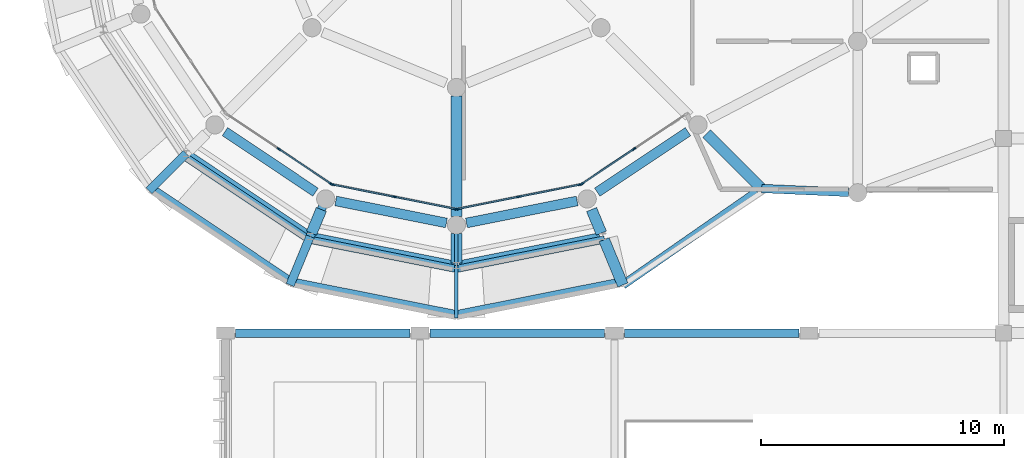
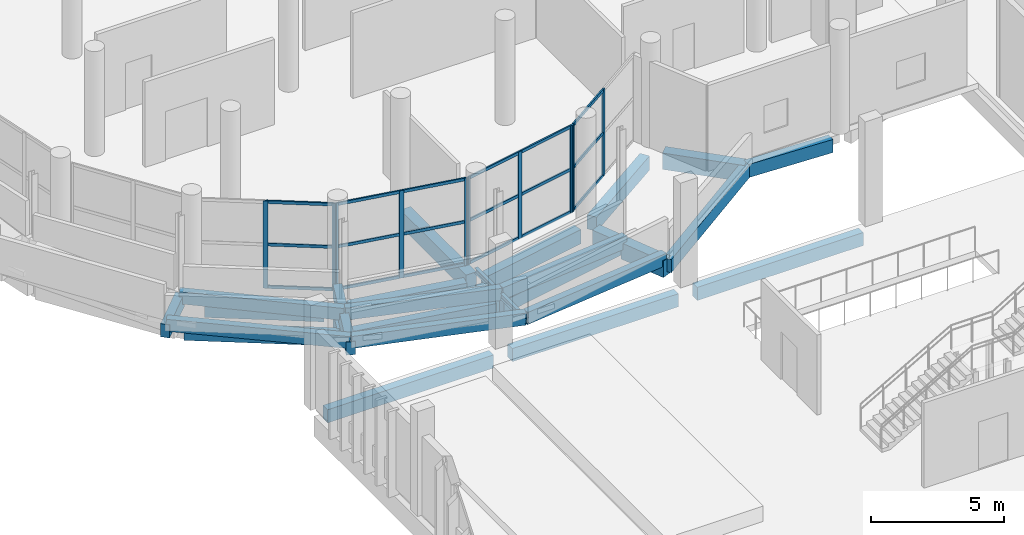
# One storey, part 19 of 106: 29 beams, 28 members, 4 elements without a shape of their own.
"""IFC4 building model written with IfcOpenShell, lengths in metres."""

from ifc_helpers import new_model, si_unit, direction, frame, origin, origin_2d, place, context, subcontext, project, spatial, rectangle, i_section, extrude, material, layer, layer_set, material_profile, profile_set, type_object, element, aggregate, save


model = new_model("IFC4")

# Units and contexts
model_context = context("Model", 3, precision=1e-05, world=origin(), true_north=direction((0.0, 1.0)))
body_context = subcontext(model_context, "Body", "Model", "MODEL_VIEW")
ifc_project = project(units=[si_unit("LENGTHUNIT", "METRE"), si_unit("AREAUNIT", "SQUARE_METRE"), si_unit("VOLUMEUNIT", "CUBIC_METRE"), si_unit("PLANEANGLEUNIT", "RADIAN"), si_unit("MASSUNIT", "GRAM", prefix="KILO")], contexts=[model_context])

# Site, building, storey
site_placement = place(None, origin())
site = spatial("IfcSite", under=ifc_project, at=site_placement, CompositionType="ELEMENT")
building_placement = place(site_placement, origin())
building = spatial("IfcBuilding", under=site, at=building_placement, Name="Jelvoka-Kovrelna Polytechnic", CompositionType="ELEMENT")
storey_placement = place(building_placement, frame((0.0, 0.0, 4.800048828125)))
storey = spatial("IfcBuildingStorey", under=building, at=storey_placement, Name="L02", CompositionType="ELEMENT", Elevation=4.800048828125)

# Beams
ifc_material_1 = material(Name="Concrete C35/45", Category="concrete")
ifc_material_profile_1 = material_profile(ifc_material_1, rectangle(XDim=0.35009765625, YDim=0.60009765625, at=origin_2d()), Name="RC 350x600")
ifc_profile_set_1 = profile_set([ifc_material_profile_1], Name="Concrete C35/45")
beam_type_1 = type_object("IfcBeamType", Name="Beam_RC_350x600", PredefinedType="BEAM", material=ifc_profile_set_1)
beam_1_placement = place(storey_placement, frame((20.123291015625, 29.51953125, 0.43505859375), z_axis=(-0.38270467954, -0.923870731357, 0.0), x_axis=(0.923870731357, -0.38270467954, 0.0)))
element("IfcBeam", 1, at=beam_1_placement, inside=storey, type_object=beam_type_1, Name="L02 spiral ramp inner tie beam 2.9", PredefinedType="BEAM", context=body_context, shape_type="SweptSolid", body=[
    extrude(rectangle(XDim=0.35009765625, YDim=0.60009765625, at=origin_2d()), origin(), (0.0, 0.0, 1.0), 1.670166015625),
])
for number, where, z_axis, x_axis, name in (
    (2, (19.484130859375, 27.9765625, 0.43505859375), (-0.382608018592, -0.923910766313, 0.0), (0.923910766313, -0.382608018592, 0.0), "L02 spiral ramp cantilever bracket 2.9"),
    (3, (14.38427734375, 31.38427734375, 0.9150390625), (-0.707106781187, -0.707106781187, 0.0), (0.707106781187, -0.707106781187, 0.0), "L02 spiral ramp cantilever bracket 2.8"),
):
    element("IfcBeam", number, at=place(storey_placement, frame(where, z_axis=z_axis, x_axis=x_axis)), inside=storey, type_object=beam_type_1, Name=name, PredefinedType="BEAM", context=body_context, shape_type="SweptSolid", body=[
        extrude(rectangle(XDim=0.35009765625, YDim=0.60009765625, at=origin_2d()), origin(), (0.0, 0.0, 1.0), 2.159912109375),
    ])
ifc_material_2 = material(Name="Concrete C40/50", Category="concrete")
ifc_material_profile_2 = material_profile(ifc_material_2, rectangle(XDim=0.39990234375, YDim=0.64990234375, at=origin_2d()), Name="RC 400x650")
ifc_profile_set_2 = profile_set([ifc_material_profile_2], Name="Concrete C40/50")
beam_type_2 = type_object("IfcBeamType", Name="Beam_RC_400x650", PredefinedType="BEAM", material=ifc_profile_set_2)
beam_2_placement = place(storey_placement, frame((15.98095703125, 32.287109375, -0.574951171875), z_axis=(0.831496756319, -0.55552960698, 0.0), x_axis=(0.55552960698, 0.831496756319, 0.0)))
element("IfcBeam", 4, at=beam_2_placement, inside=storey, type_object=beam_type_2, Name="L02 beam 2424", PredefinedType="BEAM", context=body_context, shape_type="SweptSolid", body=[
    extrude(rectangle(XDim=0.39990234375, YDim=0.64990234375, at=origin_2d()), origin(), (0.0, 0.0, 1.0), 4.481689453125),
])
for number, where, z_axis, x_axis, name in (
    (5, (20.5361328125, 29.4375, -0.574951171875), (0.980774461066, -0.195144706619, 0.0), (0.195144706619, 0.980774461066, 0.0), "L02 beam 2425"),
    (6, (25.912841796875, 28.531982421875, -0.574951171875), (0.980774461066, 0.195144706619, 0.0), (-0.195144706619, 0.980774461066, 0.0), "L02 beam 2426"),
):
    element("IfcBeam", number, at=place(storey_placement, frame(where, z_axis=z_axis, x_axis=x_axis)), inside=storey, type_object=beam_type_2, Name=name, PredefinedType="BEAM", context=body_context, shape_type="SweptSolid", body=[
        extrude(rectangle(XDim=0.39990234375, YDim=0.64990234375, at=origin_2d()), origin(), (0.0, 0.0, 1.0), 4.64013671875),
    ])
beam_3_placement = place(storey_placement, frame((31.29248046875, 29.79736328125, -0.574951171875), z_axis=(0.831496756319, 0.55552960698, 0.0), x_axis=(-0.55552960698, 0.831496756319, 0.0)))
element("IfcBeam", 7, at=beam_3_placement, inside=storey, type_object=beam_type_2, Name="L02 beam 2427", PredefinedType="BEAM", context=body_context, shape_type="SweptSolid", body=[
    extrude(rectangle(XDim=0.39990234375, YDim=0.64990234375, at=origin_2d()), origin(), (0.0, 0.0, 1.0), 4.481689453125),
])
ifc_material_3 = material(Name="Concrete C40/50", Category="concrete")
ifc_material_profile_3 = material_profile(ifc_material_3, rectangle(XDim=0.449951171875, YDim=0.75, at=origin_2d()), Name="RC 450x750")
ifc_profile_set_3 = profile_set([ifc_material_profile_3], Name="Concrete C40/50")
beam_type_3 = type_object("IfcBeamType", Name="Beam_RC_450x750", PredefinedType="BEAM", material=ifc_profile_set_3)
beam_4_placement = place(storey_placement, frame((25.5, 33.7451171875, -0.625), z_axis=(0.0, -1.0, 0.0), x_axis=(1.0, 0.0, 0.0)))
element("IfcBeam", 8, at=beam_4_placement, inside=storey, type_object=beam_type_3, Name="L02 beam 2407", PredefinedType="BEAM", context=body_context, shape_type="SweptSolid", body=[
    extrude(rectangle(XDim=0.449951171875, YDim=0.75, at=origin_2d()), origin(), (0.0, 0.0, 1.0), 4.940185546875),
])
beam_5_placement = place(storey_placement, frame((19.943603515625, 29.085205078125, -0.625), z_axis=(-0.382822216634, -0.923822033971, 0.0), x_axis=(0.923822033971, -0.382822216634, 0.0)))
element("IfcBeam", 9, at=beam_5_placement, inside=storey, type_object=beam_type_3, Name="L02 beam 2438", PredefinedType="BEAM", context=body_context, shape_type="SweptSolid", body=[
    extrude(rectangle(XDim=0.449951171875, YDim=0.75, at=origin_2d()), origin(), (0.0, 0.0, 1.0), 1.05419921875),
])
beam_6_placement = place(storey_placement, frame((25.5, 28.094970703125, -0.625), z_axis=(0.0, -1.0, 0.0), x_axis=(1.0, 0.0, 0.0)))
element("IfcBeam", 10, at=beam_6_placement, inside=storey, type_object=beam_type_3, Name="L02 beam 2439", PredefinedType="BEAM", context=body_context, shape_type="SweptSolid", body=[
    extrude(rectangle(XDim=0.449951171875, YDim=0.75, at=origin_2d()), origin(), (0.0, 0.0, 1.0), 1.2080078125),
])
beam_7_placement = place(storey_placement, frame((31.056396484375, 29.085205078125, -0.625), z_axis=(0.382822216634, -0.923822033971, 0.0), x_axis=(0.923822033971, 0.382822216634, 0.0)))
element("IfcBeam", 11, at=beam_7_placement, inside=storey, type_object=beam_type_3, Name="L02 beam 2440", PredefinedType="BEAM", context=body_context, shape_type="SweptSolid", body=[
    extrude(rectangle(XDim=0.449951171875, YDim=0.75, at=origin_2d()), origin(), (0.0, 0.0, 1.0), 1.05419921875),
])
beam_8_placement = place(storey_placement, frame((31.571533203125, 27.841796875, -0.625), z_axis=(0.38266938507, -0.923885350966, 0.0), x_axis=(0.923885350966, 0.38266938507, 0.0)))
element("IfcBeam", 12, at=beam_8_placement, inside=storey, type_object=beam_type_3, Name="L02 beam 2441", PredefinedType="BEAM", context=body_context, shape_type="SweptSolid", body=[
    extrude(rectangle(XDim=0.449951171875, YDim=0.75, at=origin_2d()), origin(), (0.0, 0.0, 1.0), 2.01416015625),
])
beam_9_placement = place(storey_placement, frame((35.7958984375, 32.2041015625, -0.625), z_axis=(0.707106781187, -0.707106781187, 0.0), x_axis=(0.707106781187, 0.707106781187, 0.0)))
element("IfcBeam", 13, at=beam_9_placement, inside=storey, type_object=beam_type_3, Name="L02 beam 2442", PredefinedType="BEAM", context=body_context, shape_type="SweptSolid", body=[
    extrude(rectangle(XDim=0.449951171875, YDim=0.75, at=origin_2d()), origin(), (0.0, 0.0, 1.0), 3.189208984375),
])

# Curtain wall, members
ifc_material_4 = material(Name="Anodised aluminium 6063-T6", Category="aluminium")
ifc_layer = layer(ifc_material_4, 0.179931640625)
ifc_layer_set = layer_set([ifc_layer], Name="Anodised aluminium 6063-T6")
curtain_wall_type = type_object("IfcCurtainWallType", Name="CW_Pavilion", PredefinedType="NOTDEFINED", material=ifc_layer_set)
curtain_wall_1_placement = place(storey_placement, origin())
curtain_wall_1 = element("IfcCurtainWall", 14, at=curtain_wall_1_placement, inside=storey, type_object=curtain_wall_type, Name="L02 glazed curtain wall 229", PredefinedType="NOTDEFINED")
ifc_material_5 = material(Name="Anodised aluminium 6063-T6", Category="aluminium")
ifc_material_profile_4 = material_profile(ifc_material_5, rectangle(XDim=0.06494140625, YDim=0.179931640625, at=origin_2d()), Name="ALU 65x180")
ifc_profile_set_4 = profile_set([ifc_material_profile_4], Name="Anodised aluminium 6063-T6")
member_type_1 = type_object("IfcMemberType", Name="Mullion_M-05", PredefinedType="MULLION", material=ifc_profile_set_4)
member_1_placement = place(storey_placement, frame((20.344970703125, 30.137939453125, -0.02490234375), z_axis=(0.0, 0.0, 1.0), x_axis=(-0.555582639326, -0.83146132254, 0.0)))
member_1 = element("IfcMember", 15, at=member_1_placement, type_object=member_type_1, Name="CW-05 mullion 1", PredefinedType="MULLION", context=body_context, shape_type="SweptSolid", body=[
    extrude(rectangle(XDim=0.06494140625, YDim=0.179931640625, at=origin_2d()), origin(), (0.0, 0.0, 1.0), 4.0),
])
member_2_placement = place(storey_placement, frame((18.198486328125, 31.572509765625, -0.02490234375), z_axis=(0.0, 0.0, 1.0), x_axis=(-0.555582639326, -0.83146132254, 0.0)))
member_2 = element("IfcMember", 16, at=member_2_placement, type_object=member_type_1, Name="CW-05 mullion 2", PredefinedType="MULLION", context=body_context, shape_type="SweptSolid", body=[
    extrude(rectangle(XDim=0.06494140625, YDim=0.179931640625, at=origin_2d()), origin(), (0.0, 0.0, 1.0), 4.0),
])

curtain_wall_2_placement = place(storey_placement, origin())
curtain_wall_2 = element("IfcCurtainWall", 17, at=curtain_wall_2_placement, inside=storey, type_object=curtain_wall_type, Name="L02 glazed curtain wall 230", PredefinedType="NOTDEFINED")
member_3_placement = place(storey_placement, frame((25.468017578125, 29.1064453125, -0.02490234375), z_axis=(0.0, 0.0, 1.0), x_axis=(-0.195086160371, -0.980786108197, 0.0)))
member_3 = element("IfcMember", 18, at=member_3_placement, type_object=member_type_1, Name="CW-05 mullion 1", PredefinedType="MULLION", context=body_context, shape_type="SweptSolid", body=[
    extrude(rectangle(XDim=0.06494140625, YDim=0.179931640625, at=origin_2d()), origin(), (0.0, 0.0, 1.0), 4.0),
])
member_4_placement = place(storey_placement, frame((22.93603515625, 29.610107421875, -0.02490234375), z_axis=(0.0, 0.0, 1.0), x_axis=(-0.195086160371, -0.980786108197, 0.0)))
member_4 = element("IfcMember", 19, at=member_4_placement, type_object=member_type_1, Name="CW-05 mullion 2", PredefinedType="MULLION", context=body_context, shape_type="SweptSolid", body=[
    extrude(rectangle(XDim=0.06494140625, YDim=0.179931640625, at=origin_2d()), origin(), (0.0, 0.0, 1.0), 4.0),
])
member_5_placement = place(storey_placement, frame((20.40380859375, 30.11376953125, -0.02490234375), z_axis=(0.0, 0.0, 1.0), x_axis=(-0.195086160371, -0.980786108197, 0.0)))
member_5 = element("IfcMember", 20, at=member_5_placement, type_object=member_type_1, Name="CW-05 mullion 3", PredefinedType="MULLION", context=body_context, shape_type="SweptSolid", body=[
    extrude(rectangle(XDim=0.06494140625, YDim=0.179931640625, at=origin_2d()), origin(), (0.0, 0.0, 1.0), 4.0),
])

curtain_wall_3_placement = place(storey_placement, origin())
curtain_wall_3 = element("IfcCurtainWall", 21, at=curtain_wall_3_placement, inside=storey, type_object=curtain_wall_type, Name="L02 glazed curtain wall 231", PredefinedType="NOTDEFINED")
member_6_placement = place(storey_placement, frame((30.59619140625, 30.11376953125, -0.02490234375), z_axis=(0.0, 0.0, 1.0), x_axis=(0.195086160371, -0.980786108197, 0.0)))
member_6 = element("IfcMember", 22, at=member_6_placement, type_object=member_type_1, Name="CW-05 mullion 1", PredefinedType="MULLION", context=body_context, shape_type="SweptSolid", body=[
    extrude(rectangle(XDim=0.06494140625, YDim=0.179931640625, at=origin_2d()), origin(), (0.0, 0.0, 1.0), 4.0),
])
member_7_placement = place(storey_placement, frame((28.06396484375, 29.610107421875, -0.02490234375), z_axis=(0.0, 0.0, 1.0), x_axis=(0.195086160371, -0.980786108197, 0.0)))
member_7 = element("IfcMember", 23, at=member_7_placement, type_object=member_type_1, Name="CW-05 mullion 2", PredefinedType="MULLION", context=body_context, shape_type="SweptSolid", body=[
    extrude(rectangle(XDim=0.06494140625, YDim=0.179931640625, at=origin_2d()), origin(), (0.0, 0.0, 1.0), 4.0),
])
member_8_placement = place(storey_placement, frame((25.531982421875, 29.1064453125, -0.02490234375), z_axis=(0.0, 0.0, 1.0), x_axis=(0.195086160371, -0.980786108197, 0.0)))
member_8 = element("IfcMember", 24, at=member_8_placement, type_object=member_type_1, Name="CW-05 mullion 3", PredefinedType="MULLION", context=body_context, shape_type="SweptSolid", body=[
    extrude(rectangle(XDim=0.06494140625, YDim=0.179931640625, at=origin_2d()), origin(), (0.0, 0.0, 1.0), 4.0),
])

curtain_wall_4_placement = place(storey_placement, origin())
curtain_wall_4 = element("IfcCurtainWall", 25, at=curtain_wall_4_placement, inside=storey, type_object=curtain_wall_type, Name="L02 glazed curtain wall 232", PredefinedType="NOTDEFINED")
member_9_placement = place(storey_placement, frame((32.801513671875, 31.572509765625, -0.02490234375), z_axis=(0.0, 0.0, 1.0), x_axis=(0.555582639326, -0.83146132254, 0.0)))
member_9 = element("IfcMember", 26, at=member_9_placement, type_object=member_type_1, Name="CW-05 mullion 2", PredefinedType="MULLION", context=body_context, shape_type="SweptSolid", body=[
    extrude(rectangle(XDim=0.06494140625, YDim=0.179931640625, at=origin_2d()), origin(), (0.0, 0.0, 1.0), 4.0),
])
member_10_placement = place(storey_placement, frame((30.655029296875, 30.137939453125, -0.02490234375), z_axis=(0.0, 0.0, 1.0), x_axis=(0.555582639326, -0.83146132254, 0.0)))
member_10 = element("IfcMember", 27, at=member_10_placement, type_object=member_type_1, Name="CW-05 mullion 3", PredefinedType="MULLION", context=body_context, shape_type="SweptSolid", body=[
    extrude(rectangle(XDim=0.06494140625, YDim=0.179931640625, at=origin_2d()), origin(), (0.0, 0.0, 1.0), 4.0),
])

# Beams
ifc_material_6 = material(Name="Structural steel S355JR", Category="steel")
ifc_material_profile_5 = material_profile(ifc_material_6, i_section(OverallWidth=0.14599609375, OverallDepth=0.25146484375, WebThickness=0.006103515625, FlangeThickness=0.008544921875, FilletRadius=0.007568359375, at=origin_2d()), Name="254x146x31 UB")
ifc_profile_set_5 = profile_set([ifc_material_profile_5], Name="Structural steel S355JR")
beam_type_4 = type_object("IfcBeamType", Name="Purlin_Steel_UB254", PredefinedType="JOIST", material=ifc_profile_set_5)
beam_10_placement = place(storey_placement, frame((25.5, 28.449951171875, 0.129150390625), z_axis=(0.0, -1.0, 0.0), x_axis=(1.0, 0.0, 0.0)))
element("IfcBeam", 28, at=beam_10_placement, inside=storey, type_object=beam_type_4, Name="L02 spiral ramp inner tie beam 2.10", PredefinedType="JOIST", context=body_context, shape_type="SweptSolid", body=[
    extrude(i_section(OverallWidth=0.14599609375, OverallDepth=0.25146484375, WebThickness=0.006103515625, FlangeThickness=0.008544921875, FilletRadius=0.007568359375, at=origin_2d()), origin(), (0.0, 0.0, 1.0), 1.669921875),
])
beam_11_placement = place(storey_placement, frame((25.5, 26.780029296875, 0.129150390625), z_axis=(0.0, -1.0, 0.0), x_axis=(1.0, 0.0, 0.0)))
element("IfcBeam", 29, at=beam_11_placement, inside=storey, type_object=beam_type_4, Name="L02 spiral ramp cantilever bracket 2.10", PredefinedType="JOIST", context=body_context, shape_type="SweptSolid", body=[
    extrude(i_section(OverallWidth=0.14599609375, OverallDepth=0.25146484375, WebThickness=0.006103515625, FlangeThickness=0.008544921875, FilletRadius=0.007568359375, at=origin_2d()), origin(), (0.0, 0.0, 1.0), 2.159912109375),
])
ifc_material_7 = material(Name="Concrete C40/50", Category="concrete")
ifc_material_profile_6 = material_profile(ifc_material_7, rectangle(XDim=0.300048828125, YDim=0.550048828125, at=origin_2d()), Name="RC 300x550")
ifc_profile_set_6 = profile_set([ifc_material_profile_6], Name="Concrete C40/50")
beam_type_5 = type_object("IfcBeamType", Name="Spandrel_RC_300x550", PredefinedType="SPANDREL", material=ifc_profile_set_6)
beam_12_placement = place(storey_placement, frame((32.28125, 26.12890625, -0.275146484375), z_axis=(-0.978430417341, -0.194622265834, 0.069253823462), x_axis=(0.195090664524, -0.980785212274, 0.0)))
element("IfcBeam", 30, at=beam_12_placement, inside=storey, type_object=beam_type_5, Name="L02 spiral ramp curved outer stringer 2.11", PredefinedType="SPANDREL", context=body_context, shape_type="SweptSolid", body=[
    extrude(rectangle(XDim=0.300048828125, YDim=0.550048828125, at=origin_2d()), origin(), (0.0, 0.0, 1.0), 6.9306640625),
])
beam_13_placement = place(storey_placement, frame((31.5693359375, 27.847412109375, -0.275146484375), z_axis=(-0.977840520324, -0.194545422909, 0.07733042892), x_axis=(0.195129735209, -0.980777439808, 0.0)))
element("IfcBeam", 31, at=beam_13_placement, inside=storey, type_object=beam_type_5, Name="L02 spiral ramp curved inner stringer 2.11", PredefinedType="SPANDREL", context=body_context, shape_type="SweptSolid", body=[
    extrude(rectangle(XDim=0.300048828125, YDim=0.550048828125, at=origin_2d()), origin(), (0.0, 0.0, 1.0), 6.206787109375),
])
beam_14_placement = place(storey_placement, frame((25.5, 24.780029296875, 0.204833984375), z_axis=(-0.978428029844, 0.194621790931, 0.069288880138), x_axis=(-0.195090664524, -0.980785212274, 0.0)))
element("IfcBeam", 32, at=beam_14_placement, inside=storey, type_object=beam_type_5, Name="L02 spiral ramp curved outer stringer 2.10", PredefinedType="SPANDREL", context=body_context, shape_type="SweptSolid", body=[
    extrude(rectangle(XDim=0.300048828125, YDim=0.550048828125, at=origin_2d()), origin(), (0.0, 0.0, 1.0), 6.9306640625),
])
beam_15_placement = place(storey_placement, frame((25.5, 26.639892578125, 0.204833984375), z_axis=(-0.977837545277, 0.194544831011, 0.077369527416), x_axis=(-0.195129735209, -0.980777439808, 0.0)))
element("IfcBeam", 33, at=beam_15_placement, inside=storey, type_object=beam_type_5, Name="L02 spiral ramp curved inner stringer 2.10", PredefinedType="SPANDREL", context=body_context, shape_type="SweptSolid", body=[
    extrude(rectangle(XDim=0.300048828125, YDim=0.550048828125, at=origin_2d()), origin(), (0.0, 0.0, 1.0), 6.206787109375),
])
beam_16_placement = place(storey_placement, frame((18.71875, 26.12890625, 0.68505859375), z_axis=(-0.829455823466, 0.554262207017, 0.069256355599), x_axis=(-0.555596251424, -0.831452226772, 0.0)))
element("IfcBeam", 34, at=beam_16_placement, inside=storey, type_object=beam_type_5, Name="L02 spiral ramp curved outer stringer 2.9", PredefinedType="SPANDREL", context=body_context, shape_type="SweptSolid", body=[
    extrude(rectangle(XDim=0.300048828125, YDim=0.550048828125, at=origin_2d()), origin(), (0.0, 0.0, 1.0), 6.930419921875),
])
beam_17_placement = place(storey_placement, frame((19.4306640625, 27.847412109375, 0.68505859375), z_axis=(-0.828977242315, 0.553910202908, 0.077331874657), x_axis=(-0.555573920801, -0.831467148194, 0.0)))
element("IfcBeam", 35, at=beam_17_placement, inside=storey, type_object=beam_type_5, Name="L02 spiral ramp curved inner stringer 2.9", PredefinedType="SPANDREL", context=body_context, shape_type="SweptSolid", body=[
    extrude(rectangle(XDim=0.300048828125, YDim=0.550048828125, at=origin_2d()), origin(), (0.0, 0.0, 1.0), 6.206787109375),
])
ifc_material_8 = material(Name="Concrete C40/50", Category="concrete")
ifc_material_profile_7 = material_profile(ifc_material_8, rectangle(XDim=0.35009765625, YDim=0.60009765625, at=origin_2d()), Name="RC 350x600")
ifc_profile_set_7 = profile_set([ifc_material_profile_7], Name="Concrete C40/50")
beam_type_6 = type_object("IfcBeamType", Name="Spandrel_RC_350x600", PredefinedType="SPANDREL", material=ifc_profile_set_7)
for number, where, z_axis, x_axis, name in (
    (36, (16.405029296875, 24.0, -0.5849609375), (1.0, 0.0, 0.0), (0.0, 1.0, 0.0), "L02 beam 0162"),
    (37, (24.405029296875, 24.0, -0.5849609375), (1.0, 0.0, 0.0), (0.0, 1.0, 0.0), "L02 beam 0164"),
    (38, (32.405029296875, 24.0, -0.5849609375), (1.0, 0.0, 0.0), (0.0, 1.0, 0.0), "L02 beam 0166"),
):
    element("IfcBeam", number, at=place(storey_placement, frame(where, z_axis=z_axis, x_axis=x_axis)), inside=storey, type_object=beam_type_6, Name=name, PredefinedType="SPANDREL", context=body_context, shape_type="SweptSolid", body=[
        extrude(rectangle(XDim=0.35009765625, YDim=0.60009765625, at=origin_2d()), origin(), (0.0, 0.0, 1.0), 7.18994140625),
    ])
beam_18_placement = place(storey_placement, frame((14.51416015625, 31.297607421875, -0.550048828125), z_axis=(0.831475611635, -0.555561254279, 0.0), x_axis=(0.555561254279, 0.831475611635, 0.0)))
element("IfcBeam", 39, at=beam_18_placement, inside=storey, type_object=beam_type_6, Name="L02 beam 2449", PredefinedType="SPANDREL", context=body_context, shape_type="SweptSolid", body=[
    extrude(rectangle(XDim=0.35009765625, YDim=0.60009765625, at=origin_2d()), origin(), (0.0, 0.0, 1.0), 5.8212890625),
])
for number, where, z_axis, x_axis, name in (
    (40, (19.611083984375, 27.951416015625, -0.550048828125), (0.98078154922, -0.195109079005, 0.0), (0.195109079005, 0.98078154922, 0.0), "L02 beam 2450"),
    (41, (25.626953125, 26.80517578125, -0.550048828125), (0.98078154922, 0.195109079005, 0.0), (-0.195109079005, 0.98078154922, 0.0), "L02 beam 2451"),
):
    element("IfcBeam", number, at=place(storey_placement, frame(where, z_axis=z_axis, x_axis=x_axis)), inside=storey, type_object=beam_type_6, Name=name, PredefinedType="SPANDREL", context=body_context, shape_type="SweptSolid", body=[
        extrude(rectangle(XDim=0.35009765625, YDim=0.60009765625, at=origin_2d()), origin(), (0.0, 0.0, 1.0), 5.874755859375),
    ])
beam_19_placement = place(storey_placement, frame((32.34228515625, 25.98095703125, -0.550048828125), z_axis=(0.821126306312, 0.570746519116, 0.0), x_axis=(-0.570746519116, 0.821126306312, 0.0)))
element("IfcBeam", 42, at=beam_19_placement, inside=storey, type_object=beam_type_6, Name="L02 beam 2452", PredefinedType="SPANDREL", context=body_context, shape_type="SweptSolid", body=[
    extrude(rectangle(XDim=0.35009765625, YDim=0.60009765625, at=origin_2d()), origin(), (0.0, 0.0, 1.0), 6.952392578125),
])
beam_20_placement = place(storey_placement, frame((38.051025390625, 29.948974609375, -0.550048828125), z_axis=(0.998999645375, -0.04471810081, 0.0), x_axis=(0.04471810081, 0.998999645375, 0.0)))
element("IfcBeam", 43, at=beam_20_placement, inside=storey, type_object=beam_type_6, Name="L02 beam 2455", PredefinedType="SPANDREL", context=body_context, shape_type="SweptSolid", body=[
    extrude(rectangle(XDim=0.35009765625, YDim=0.60009765625, at=origin_2d()), origin(), (0.0, 0.0, 1.0), 3.58154296875),
])

# Member
ifc_material_9 = material(Name="Anodised aluminium 6063-T6", Category="aluminium")
ifc_material_profile_8 = material_profile(ifc_material_9, rectangle(XDim=0.06494140625, YDim=0.135009765625, at=origin_2d()), Name="ALU 65x135")
ifc_profile_set_8 = profile_set([ifc_material_profile_8], Name="Anodised aluminium 6063-T6")
member_type_2 = type_object("IfcMemberType", Name="Transom_T-05", PredefinedType="USERDEFINED", material=ifc_profile_set_8)
member_11_placement = place(storey_placement, frame((20.31787109375, 30.156005859375, 0.032470703125), z_axis=(-0.831422966795, 0.555640036612, 0.0), x_axis=(-0.555640036612, -0.831422966795, 0.0)))
member_11 = element("IfcMember", 44, at=member_11_placement, type_object=member_type_2, Name="CW-05 transom 1.1", ObjectType="TRANSOM", PredefinedType="USERDEFINED", context=body_context, shape_type="SweptSolid", body=[
    extrude(rectangle(XDim=0.06494140625, YDim=0.135009765625, at=origin_2d()), origin(), (0.0, 0.0, 1.0), 2.516845703125),
])

member_12_placement = place(storey_placement, frame((20.31787109375, 30.156005859375, 1.974853515625), z_axis=(-0.831422966795, 0.555640036612, 0.0), x_axis=(-0.555640036612, -0.831422966795, 0.0)))
member_12 = element("IfcMember", 45, at=member_12_placement, type_object=member_type_2, Name="CW-05 transom 1.2", ObjectType="TRANSOM", PredefinedType="USERDEFINED", context=body_context, shape_type="SweptSolid", body=[
    extrude(rectangle(XDim=0.06494140625, YDim=0.135009765625, at=origin_2d()), origin(), (0.0, 0.0, 1.0), 2.516845703125),
])

member_13_placement = place(storey_placement, frame((20.31787109375, 30.156005859375, 3.91748046875), z_axis=(-0.831422966795, 0.555640036612, 0.0), x_axis=(-0.555640036612, -0.831422966795, 0.0)))
member_13 = element("IfcMember", 46, at=member_13_placement, type_object=member_type_2, Name="CW-05 transom 1.3", ObjectType="TRANSOM", PredefinedType="USERDEFINED", context=body_context, shape_type="SweptSolid", body=[
    extrude(rectangle(XDim=0.06494140625, YDim=0.135009765625, at=origin_2d()), origin(), (0.0, 0.0, 1.0), 2.516845703125),
])

aggregate(curtain_wall_1, [member_1, member_2, member_11, member_12, member_13])

member_14_placement = place(storey_placement, frame((25.436279296875, 29.11279296875, 0.032470703125), z_axis=(-0.980789047023, 0.195071384983, 0.0), x_axis=(-0.195071384983, -0.980789047023, 0.0)))
member_14 = element("IfcMember", 47, at=member_14_placement, type_object=member_type_2, Name="CW-05 transom 1.1", ObjectType="TRANSOM", PredefinedType="USERDEFINED", context=body_context, shape_type="SweptSolid", body=[
    extrude(rectangle(XDim=0.06494140625, YDim=0.135009765625, at=origin_2d()), origin(), (0.0, 0.0, 1.0), 2.516845703125),
])

member_15_placement = place(storey_placement, frame((25.436279296875, 29.11279296875, 1.974853515625), z_axis=(-0.980789047023, 0.195071384983, 0.0), x_axis=(-0.195071384983, -0.980789047023, 0.0)))
member_15 = element("IfcMember", 48, at=member_15_placement, type_object=member_type_2, Name="CW-05 transom 1.2", ObjectType="TRANSOM", PredefinedType="USERDEFINED", context=body_context, shape_type="SweptSolid", body=[
    extrude(rectangle(XDim=0.06494140625, YDim=0.135009765625, at=origin_2d()), origin(), (0.0, 0.0, 1.0), 2.516845703125),
])

member_16_placement = place(storey_placement, frame((25.436279296875, 29.11279296875, 3.91748046875), z_axis=(-0.980789047023, 0.195071384983, 0.0), x_axis=(-0.195071384983, -0.980789047023, 0.0)))
member_16 = element("IfcMember", 49, at=member_16_placement, type_object=member_type_2, Name="CW-05 transom 1.3", ObjectType="TRANSOM", PredefinedType="USERDEFINED", context=body_context, shape_type="SweptSolid", body=[
    extrude(rectangle(XDim=0.06494140625, YDim=0.135009765625, at=origin_2d()), origin(), (0.0, 0.0, 1.0), 2.516845703125),
])

member_17_placement = place(storey_placement, frame((22.904052734375, 29.616455078125, 0.032470703125), z_axis=(-0.980785355287, 0.195089945547, 0.0), x_axis=(-0.195089945547, -0.980785355287, 0.0)))
member_17 = element("IfcMember", 50, at=member_17_placement, type_object=member_type_2, Name="CW-05 transom 2.1", ObjectType="TRANSOM", PredefinedType="USERDEFINED", context=body_context, shape_type="SweptSolid", body=[
    extrude(rectangle(XDim=0.06494140625, YDim=0.135009765625, at=origin_2d()), origin(), (0.0, 0.0, 1.0), 2.5166015625),
])

member_18_placement = place(storey_placement, frame((22.904052734375, 29.616455078125, 1.974853515625), z_axis=(-0.980785355287, 0.195089945547, 0.0), x_axis=(-0.195089945547, -0.980785355287, 0.0)))
member_18 = element("IfcMember", 51, at=member_18_placement, type_object=member_type_2, Name="CW-05 transom 2.2", ObjectType="TRANSOM", PredefinedType="USERDEFINED", context=body_context, shape_type="SweptSolid", body=[
    extrude(rectangle(XDim=0.06494140625, YDim=0.135009765625, at=origin_2d()), origin(), (0.0, 0.0, 1.0), 2.5166015625),
])

member_19_placement = place(storey_placement, frame((22.904052734375, 29.616455078125, 3.91748046875), z_axis=(-0.980785355287, 0.195089945547, 0.0), x_axis=(-0.195089945547, -0.980785355287, 0.0)))
member_19 = element("IfcMember", 52, at=member_19_placement, type_object=member_type_2, Name="CW-05 transom 2.3", ObjectType="TRANSOM", PredefinedType="USERDEFINED", context=body_context, shape_type="SweptSolid", body=[
    extrude(rectangle(XDim=0.06494140625, YDim=0.135009765625, at=origin_2d()), origin(), (0.0, 0.0, 1.0), 2.5166015625),
])

aggregate(curtain_wall_2, [member_3, member_4, member_5, member_14, member_15, member_16, member_17, member_18, member_19])

member_20_placement = place(storey_placement, frame((30.564208984375, 30.107421875, 0.032470703125), z_axis=(-0.980785355287, -0.195089945547, 0.0), x_axis=(0.195089945547, -0.980785355287, 0.0)))
member_20 = element("IfcMember", 53, at=member_20_placement, type_object=member_type_2, Name="CW-05 transom 1.1", ObjectType="TRANSOM", PredefinedType="USERDEFINED", context=body_context, shape_type="SweptSolid", body=[
    extrude(rectangle(XDim=0.06494140625, YDim=0.135009765625, at=origin_2d()), origin(), (0.0, 0.0, 1.0), 2.5166015625),
])

member_21_placement = place(storey_placement, frame((30.564208984375, 30.107421875, 1.974853515625), z_axis=(-0.980785355287, -0.195089945547, 0.0), x_axis=(0.195089945547, -0.980785355287, 0.0)))
member_21 = element("IfcMember", 54, at=member_21_placement, type_object=member_type_2, Name="CW-05 transom 1.2", ObjectType="TRANSOM", PredefinedType="USERDEFINED", context=body_context, shape_type="SweptSolid", body=[
    extrude(rectangle(XDim=0.06494140625, YDim=0.135009765625, at=origin_2d()), origin(), (0.0, 0.0, 1.0), 2.5166015625),
])

member_22_placement = place(storey_placement, frame((30.564208984375, 30.107421875, 3.91748046875), z_axis=(-0.980785355287, -0.195089945547, 0.0), x_axis=(0.195089945547, -0.980785355287, 0.0)))
member_22 = element("IfcMember", 55, at=member_22_placement, type_object=member_type_2, Name="CW-05 transom 1.3", ObjectType="TRANSOM", PredefinedType="USERDEFINED", context=body_context, shape_type="SweptSolid", body=[
    extrude(rectangle(XDim=0.06494140625, YDim=0.135009765625, at=origin_2d()), origin(), (0.0, 0.0, 1.0), 2.5166015625),
])

member_23_placement = place(storey_placement, frame((28.0322265625, 29.603759765625, 0.032470703125), z_axis=(-0.980789047023, -0.195071384983, 0.0), x_axis=(0.195071384983, -0.980789047023, 0.0)))
member_23 = element("IfcMember", 56, at=member_23_placement, type_object=member_type_2, Name="CW-05 transom 2.1", ObjectType="TRANSOM", PredefinedType="USERDEFINED", context=body_context, shape_type="SweptSolid", body=[
    extrude(rectangle(XDim=0.06494140625, YDim=0.135009765625, at=origin_2d()), origin(), (0.0, 0.0, 1.0), 2.516845703125),
])

member_24_placement = place(storey_placement, frame((28.0322265625, 29.603759765625, 1.974853515625), z_axis=(-0.980789047023, -0.195071384983, 0.0), x_axis=(0.195071384983, -0.980789047023, 0.0)))
member_24 = element("IfcMember", 57, at=member_24_placement, type_object=member_type_2, Name="CW-05 transom 2.2", ObjectType="TRANSOM", PredefinedType="USERDEFINED", context=body_context, shape_type="SweptSolid", body=[
    extrude(rectangle(XDim=0.06494140625, YDim=0.135009765625, at=origin_2d()), origin(), (0.0, 0.0, 1.0), 2.516845703125),
])

member_25_placement = place(storey_placement, frame((28.0322265625, 29.603759765625, 3.91748046875), z_axis=(-0.980789047023, -0.195071384983, 0.0), x_axis=(0.195071384983, -0.980789047023, 0.0)))
member_25 = element("IfcMember", 58, at=member_25_placement, type_object=member_type_2, Name="CW-05 transom 2.3", ObjectType="TRANSOM", PredefinedType="USERDEFINED", context=body_context, shape_type="SweptSolid", body=[
    extrude(rectangle(XDim=0.06494140625, YDim=0.135009765625, at=origin_2d()), origin(), (0.0, 0.0, 1.0), 2.516845703125),
])

aggregate(curtain_wall_3, [member_6, member_7, member_8, member_20, member_21, member_22, member_23, member_24, member_25])

member_26_placement = place(storey_placement, frame((32.774658203125, 31.554443359375, 0.032470703125), z_axis=(-0.831422966795, -0.555640036612, 0.0), x_axis=(0.555640036612, -0.831422966795, 0.0)))
member_26 = element("IfcMember", 59, at=member_26_placement, type_object=member_type_2, Name="CW-05 transom 2.1", ObjectType="TRANSOM", PredefinedType="USERDEFINED", context=body_context, shape_type="SweptSolid", body=[
    extrude(rectangle(XDim=0.06494140625, YDim=0.135009765625, at=origin_2d()), origin(), (0.0, 0.0, 1.0), 2.516845703125),
])

member_27_placement = place(storey_placement, frame((32.774658203125, 31.554443359375, 1.974853515625), z_axis=(-0.831422966795, -0.555640036612, 0.0), x_axis=(0.555640036612, -0.831422966795, 0.0)))
member_27 = element("IfcMember", 60, at=member_27_placement, type_object=member_type_2, Name="CW-05 transom 2.2", ObjectType="TRANSOM", PredefinedType="USERDEFINED", context=body_context, shape_type="SweptSolid", body=[
    extrude(rectangle(XDim=0.06494140625, YDim=0.135009765625, at=origin_2d()), origin(), (0.0, 0.0, 1.0), 2.516845703125),
])

member_28_placement = place(storey_placement, frame((32.774658203125, 31.554443359375, 3.91748046875), z_axis=(-0.831422966795, -0.555640036612, 0.0), x_axis=(0.555640036612, -0.831422966795, 0.0)))
member_28 = element("IfcMember", 61, at=member_28_placement, type_object=member_type_2, Name="CW-05 transom 2.3", ObjectType="TRANSOM", PredefinedType="USERDEFINED", context=body_context, shape_type="SweptSolid", body=[
    extrude(rectangle(XDim=0.06494140625, YDim=0.135009765625, at=origin_2d()), origin(), (0.0, 0.0, 1.0), 2.516845703125),
])

aggregate(curtain_wall_4, [member_9, member_10, member_26, member_27, member_28])

save(model, "model.ifc")
